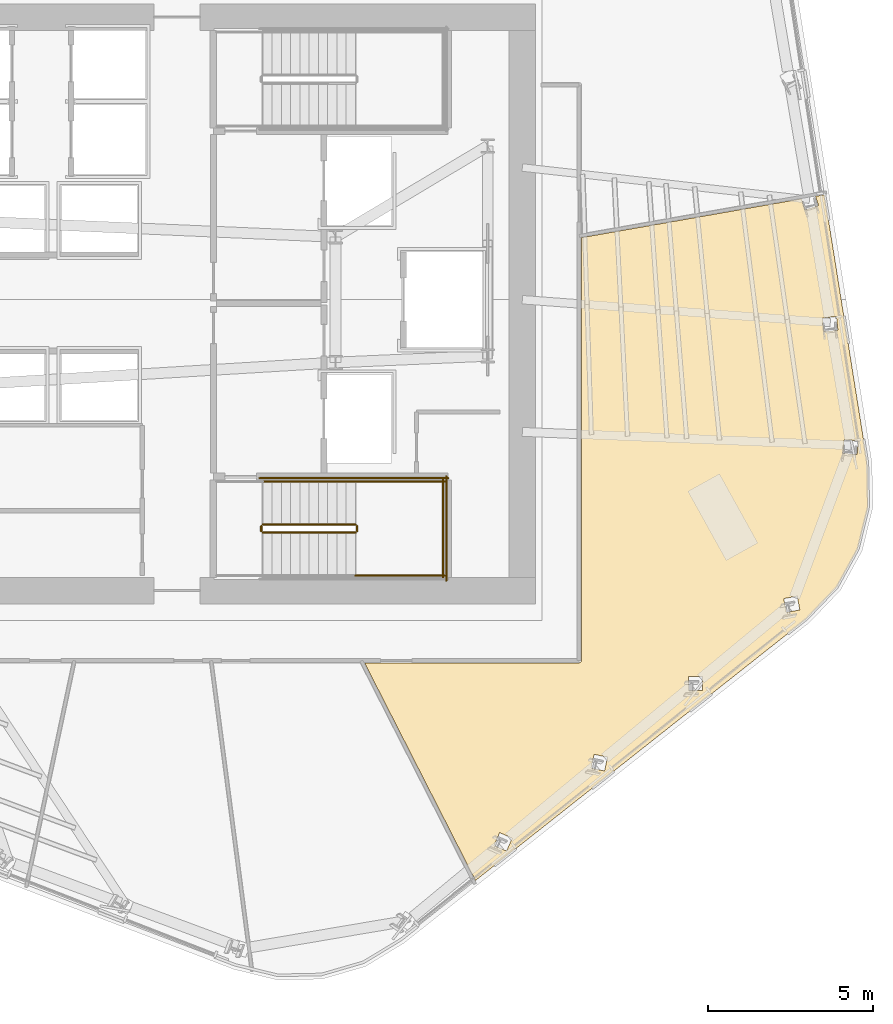
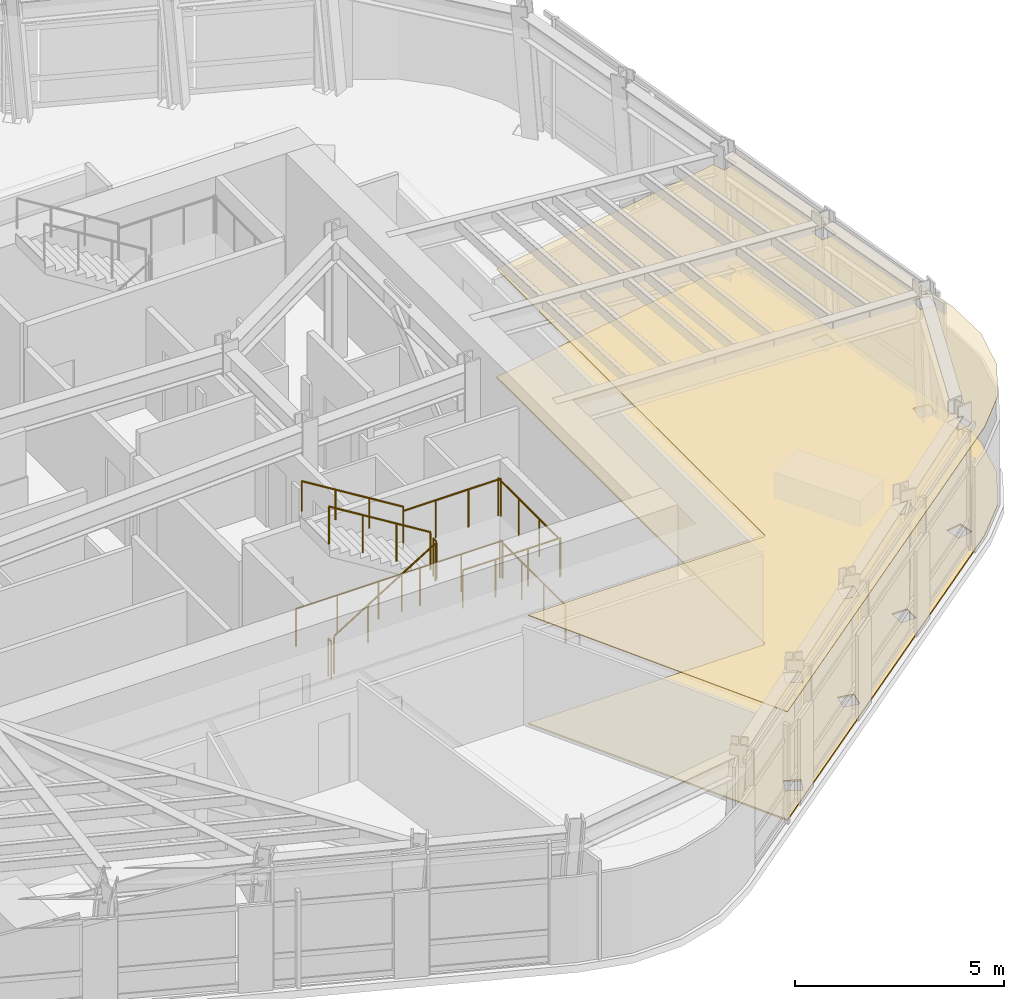
# One storey, part 11 of 15: 10 railings, 2 coverings.
"""IFC4 building model written with IfcOpenShell, lengths in metres."""

from ifc_helpers import new_model, si_unit, direction, frame, origin, origin_2d, place, context, subcontext, project, spatial, polyline, circle, outline, extrude, material, layer, layer_set, type_object, element, save


model = new_model("IFC4")

# Units and contexts
model_context = context("Model", 3, precision=1e-05, world=origin(), true_north=direction((0.0, 1.0)))
body_context = subcontext(model_context, "Body", "Model", "MODEL_VIEW")
ifc_project = project(units=[si_unit("LENGTHUNIT", "METRE"), si_unit("AREAUNIT", "SQUARE_METRE"), si_unit("VOLUMEUNIT", "CUBIC_METRE"), si_unit("PLANEANGLEUNIT", "RADIAN"), si_unit("MASSUNIT", "GRAM", prefix="KILO")], contexts=[model_context])

# Site, building, storey
site_placement = place(None, origin())
site = spatial("IfcSite", under=ifc_project, at=site_placement, CompositionType="ELEMENT")
building_placement = place(site_placement, origin())
building = spatial("IfcBuilding", under=site, at=building_placement, Name="Valkerne Bourse Tower", CompositionType="ELEMENT")
storey_placement = place(building_placement, frame((0.0, 0.0, 189.39990234375)))
storey = spatial("IfcBuildingStorey", under=building, at=storey_placement, Name="L48", CompositionType="ELEMENT", Elevation=189.39990234375)

# Coverings
ifc_material_1 = material(Name="Mineral Fiber Acoustic Ceiling Tile", Category="acoustic")
ifc_layer_1 = layer(ifc_material_1, 0.02490234375)
ifc_layer_set_1 = layer_set([ifc_layer_1], Name="Mineral Fiber Acoustic Ceiling Tile")
covering_type_1 = type_object("IfcCoveringType", Name="COV-CEIL-ACT", PredefinedType="CEILING", material=ifc_layer_set_1)
covering_1_placement = place(storey_placement, frame((0.0, 0.0, 3.170166015625)))
element("IfcCovering", 1, at=covering_1_placement, inside=storey, type_object=covering_type_1, Name="L48 Suspended Ceiling 07", PredefinedType="CEILING", context=body_context, shape_type="SweptSolid", body=[
    extrude(outline(polyline([(66.1484375, 19.456298828125), (65.5126953125, 18.300048828125), (64.593017578125, 17.341064453125), (54.581298828125, 9.425537109375), (51.225830078125, 16.010986328125), (57.720703125, 16.010986328125), (57.756103515625, 16.02099609375), (57.7822265625, 16.0498046875), (57.7890625, 16.07958984375), (57.7890625, 28.877685546875), (64.4501953125, 30.05224609375), (64.55810546875, 29.717529296875), (64.962158203125, 29.847412109375), (64.9619140625, 29.85009765625), (64.87255859375, 30.126708984375), (65.14111328125, 30.174072265625), (66.435302734375, 22.066162109375), (66.463134765625, 20.73779296875), (66.1484375, 19.456298828125)]), holes=[polyline([(55.5224609375, 10.31787109375), (55.693603515625, 10.70556640625), (55.315185546875, 10.873779296875), (55.31298828125, 10.87255859375), (55.141845703125, 10.484619140625), (55.52001953125, 10.31640625), (55.5224609375, 10.31787109375)]), polyline([(58.48828125, 12.7412109375), (58.576904296875, 13.15576171875), (58.17236328125, 13.243408203125), (58.17041015625, 13.24169921875), (58.081787109375, 12.8271484375), (58.486083984375, 12.739501953125), (58.48828125, 12.7412109375)]), polyline([(61.449951171875, 15.598876953125), (61.0361328125, 15.6025390625), (61.034423828125, 15.600341796875), (61.031982421875, 15.176513671875), (61.44580078125, 15.173095703125), (61.447509765625, 15.175048828125), (61.449951171875, 15.598876953125)]), polyline([(64.3955078125, 17.6142578125), (64.318115234375, 18.03076171875), (63.910888671875, 17.95654296875), (63.90966796875, 17.9541015625), (63.987060546875, 17.53759765625), (64.39404296875, 17.61181640625), (64.3955078125, 17.6142578125)]), polyline([(66.1640625, 22.730712890625), (65.740966796875, 22.765869140625), (65.740478515625, 22.762939453125), (65.70654296875, 22.351318359375), (66.129638671875, 22.316162109375), (66.13037109375, 22.319091796875), (66.1640625, 22.730712890625)]), polyline([(65.549072265625, 26.076416015625), (65.54931640625, 26.0791015625), (65.5048828125, 26.489990234375), (65.082763671875, 26.44482421875), (65.08251953125, 26.442138671875), (65.126953125, 26.031494140625), (65.549072265625, 26.076416015625)])]), origin(), (0.0, 0.0, 1.0), 0.02490234375),
])
ifc_material_2 = material(Name="Galvanised Painted Steel", Category="steel")
ifc_layer_2 = layer(ifc_material_2, 0.044921875)
ifc_layer_set_2 = layer_set([ifc_layer_2], Name="Galvanised Painted Steel")
covering_type_2 = type_object("IfcCoveringType", Name="COV-FLR-RAF", PredefinedType="FLOORING", material=ifc_layer_set_2)
covering_2_placement = place(storey_placement, origin())
element("IfcCovering", 2, at=covering_2_placement, inside=storey, type_object=covering_type_2, Name="L48 Floor Finish 07", PredefinedType="FLOORING", context=body_context, shape_type="SweptSolid", body=[
    extrude(outline(polyline([(66.1484375, 19.456298828125), (65.5126953125, 18.300048828125), (64.593017578125, 17.341064453125), (54.581298828125, 9.425537109375), (51.225830078125, 16.010986328125), (57.720703125, 16.010986328125), (57.756103515625, 16.02099609375), (57.7822265625, 16.0498046875), (57.7890625, 16.07958984375), (57.7890625, 28.877685546875), (64.4501953125, 30.05224609375), (64.55810546875, 29.717529296875), (64.962158203125, 29.847412109375), (64.9619140625, 29.85009765625), (64.87255859375, 30.126708984375), (65.14111328125, 30.174072265625), (66.435302734375, 22.066162109375), (66.463134765625, 20.73779296875), (66.1484375, 19.456298828125)]), holes=[polyline([(55.5224609375, 10.31787109375), (55.693603515625, 10.70556640625), (55.315185546875, 10.873779296875), (55.31298828125, 10.87255859375), (55.141845703125, 10.484619140625), (55.52001953125, 10.31640625), (55.5224609375, 10.31787109375)]), polyline([(58.48828125, 12.7412109375), (58.576904296875, 13.15576171875), (58.17236328125, 13.243408203125), (58.17041015625, 13.24169921875), (58.081787109375, 12.8271484375), (58.486083984375, 12.739501953125), (58.48828125, 12.7412109375)]), polyline([(61.449951171875, 15.598876953125), (61.0361328125, 15.6025390625), (61.034423828125, 15.600341796875), (61.031982421875, 15.176513671875), (61.44580078125, 15.173095703125), (61.447509765625, 15.175048828125), (61.449951171875, 15.598876953125)]), polyline([(64.3955078125, 17.6142578125), (64.318115234375, 18.03076171875), (63.910888671875, 17.95654296875), (63.90966796875, 17.9541015625), (63.987060546875, 17.53759765625), (64.39404296875, 17.61181640625), (64.3955078125, 17.6142578125)]), polyline([(66.1640625, 22.730712890625), (65.740966796875, 22.765869140625), (65.740478515625, 22.762939453125), (65.70654296875, 22.351318359375), (66.129638671875, 22.316162109375), (66.13037109375, 22.319091796875), (66.1640625, 22.730712890625)]), polyline([(65.549072265625, 26.076416015625), (65.54931640625, 26.0791015625), (65.5048828125, 26.489990234375), (65.082763671875, 26.44482421875), (65.08251953125, 26.442138671875), (65.126953125, 26.031494140625), (65.549072265625, 26.076416015625)])]), origin(), (0.0, 0.0, 1.0), 0.045166015625),
])

# Railings
railing_type_1 = type_object("IfcRailingType", Name="RLG-ST-GUARD-1120", PredefinedType="GUARDRAIL", material=ifc_material_2)
railing_1_placement = place(storey_placement, frame((48.14990234375, 19.949951171875, 0.1728515625)))
element("IfcRailing", 3, at=railing_1_placement, inside=storey, type_object=railing_type_1, Name="L48 ST-1 stair guard 1", PredefinedType="GUARDRAIL", context=body_context, shape_type="SweptSolid", body=[
    extrude(circle(Radius=0.02392578125, at=origin_2d()), frame((0.0, 0.0, 1.09619140625), z_axis=(0.851089632645, 0.0, 0.525020415988), x_axis=(0.0, 1.0, 0.0)), (0.0, 0.0, 1.0), 3.2900390625),
    extrude(circle(Radius=0.02099609375, at=origin_2d()), origin(), (0.0, 0.0, 1.0), 1.072021484375),
    extrude(circle(Radius=0.02099609375, at=origin_2d()), frame((0.933349609375, 0.0, 0.57568359375)), (0.0, 0.0, 1.0), 1.072021484375),
    extrude(circle(Radius=0.02099609375, at=origin_2d()), frame((1.86669921875, 0.0, 1.151611328125)), (0.0, 0.0, 1.0), 1.072021484375),
    extrude(circle(Radius=0.02099609375, at=origin_2d()), frame((2.800048828125, 0.0, 1.727294921875)), (0.0, 0.0, 1.0), 1.072021484375),
])
railing_2_placement = place(storey_placement, frame((51.0, 20.0, 1.900146484375)))
element("IfcRailing", 4, at=railing_2_placement, inside=storey, type_object=railing_type_1, Name="L48 ST-1 stair guard 2", PredefinedType="GUARDRAIL", context=body_context, shape_type="SweptSolid", body=[
    extrude(circle(Radius=0.02392578125, at=origin_2d()), frame((0.0, 0.0, 1.09619140625), z_axis=(0.0, 1.0, 0.0), x_axis=(-1.0, 0.0, 0.0)), (0.0, 0.0, 1.0), 0.14990234375),
    extrude(circle(Radius=0.02099609375, at=origin_2d()), origin(), (0.0, 0.0, 1.0), 1.072021484375),
    extrude(circle(Radius=0.02099609375, at=origin_2d()), frame((0.0, 0.14990234375, 0.0)), (0.0, 0.0, 1.0), 1.072021484375),
])
for number, where, name in (
    (5, (50.949951171875, 18.64990234375, 1.900146484375), "L48 ST-1 stair guard 3"),
    (6, (50.949951171875, 21.5, 1.900146484375), "L48 ST-1 stair guard 4"),
):
    element("IfcRailing", number, at=place(storey_placement, frame(where)), inside=storey, type_object=railing_type_1, Name=name, PredefinedType="GUARDRAIL", context=body_context, shape_type="SweptSolid", body=[
        extrude(circle(Radius=0.02392578125, at=origin_2d()), frame((0.0, 0.0, 1.09619140625), z_axis=(1.0, 0.0, 0.0), x_axis=(0.0, 1.0, 0.0)), (0.0, 0.0, 1.0), 2.699951171875),
        extrude(circle(Radius=0.02099609375, at=origin_2d()), origin(), (0.0, 0.0, 1.0), 1.072021484375),
        extrude(circle(Radius=0.02099609375, at=origin_2d()), frame((0.89990234375, 0.0, 0.0)), (0.0, 0.0, 1.0), 1.072021484375),
        extrude(circle(Radius=0.02099609375, at=origin_2d()), frame((1.800048828125, 0.0, 0.0)), (0.0, 0.0, 1.0), 1.072021484375),
        extrude(circle(Radius=0.02099609375, at=origin_2d()), frame((2.699951171875, 0.0, 0.0)), (0.0, 0.0, 1.0), 1.072021484375),
    ])
railing_3_placement = place(storey_placement, frame((53.60009765625, 18.60009765625, 1.900146484375)))
element("IfcRailing", 7, at=railing_3_placement, inside=storey, type_object=railing_type_1, Name="L48 ST-1 stair guard 5", PredefinedType="GUARDRAIL", context=body_context, shape_type="SweptSolid", body=[
    extrude(circle(Radius=0.02392578125, at=origin_2d()), frame((0.0, 0.0, 1.09619140625), z_axis=(0.0, 1.0, 0.0), x_axis=(-1.0, 0.0, 0.0)), (0.0, 0.0, 1.0), 2.949951171875),
    extrude(circle(Radius=0.02099609375, at=origin_2d()), origin(), (0.0, 0.0, 1.0), 1.072021484375),
    extrude(circle(Radius=0.02099609375, at=origin_2d()), frame((0.0, 0.9833984375, 0.0)), (0.0, 0.0, 1.0), 1.072021484375),
    extrude(circle(Radius=0.02099609375, at=origin_2d()), frame((0.0, 1.966552734375, 0.0)), (0.0, 0.0, 1.0), 1.072021484375),
    extrude(circle(Radius=0.02099609375, at=origin_2d()), frame((0.0, 2.949951171875, 0.0)), (0.0, 0.0, 1.0), 1.072021484375),
])
railing_4_placement = place(storey_placement, frame((50.949951171875, 20.199951171875, 2.07275390625)))
element("IfcRailing", 8, at=railing_4_placement, inside=storey, type_object=railing_type_1, Name="L48 ST-1 stair guard 6", PredefinedType="GUARDRAIL", context=body_context, shape_type="SweptSolid", body=[
    extrude(circle(Radius=0.02392578125, at=origin_2d()), frame((0.0, 0.0, 1.09619140625), z_axis=(-0.851089632645, 0.0, 0.525020415988), x_axis=(0.0, -1.0, 0.0)), (0.0, 0.0, 1.0), 3.2900390625),
    extrude(circle(Radius=0.02099609375, at=origin_2d()), origin(), (0.0, 0.0, 1.0), 1.072021484375),
    extrude(circle(Radius=0.02099609375, at=origin_2d()), frame((-0.933349609375, 0.0, 0.57568359375)), (0.0, 0.0, 1.0), 1.072021484375),
    extrude(circle(Radius=0.02099609375, at=origin_2d()), frame((-1.86669921875, 0.0, 1.151611328125)), (0.0, 0.0, 1.0), 1.072021484375),
    extrude(circle(Radius=0.02099609375, at=origin_2d()), frame((-2.800048828125, 0.0, 1.727294921875)), (0.0, 0.0, 1.0), 1.072021484375),
])
railing_5_placement = place(storey_placement, frame((48.10009765625, 20.0, 0.0)))
element("IfcRailing", 9, at=railing_5_placement, inside=storey, type_object=railing_type_1, Name="L48 ST-1 stair guard 7", PredefinedType="GUARDRAIL", context=body_context, shape_type="SweptSolid", body=[
    extrude(circle(Radius=0.02392578125, at=origin_2d()), frame((0.0, 0.0, 1.09619140625), z_axis=(0.0, 1.0, 0.0), x_axis=(-1.0, 0.0, 0.0)), (0.0, 0.0, 1.0), 0.14990234375),
    extrude(circle(Radius=0.02099609375, at=origin_2d()), origin(), (0.0, 0.0, 1.0), 1.072021484375),
    extrude(circle(Radius=0.02099609375, at=origin_2d()), frame((0.0, 0.14990234375, 0.0)), (0.0, 0.0, 1.0), 1.072021484375),
])
railing_6_placement = place(storey_placement, frame((48.050048828125, 21.60009765625, 0.0)))
element("IfcRailing", 10, at=railing_6_placement, inside=storey, type_object=railing_type_1, Name="L48 ST-1 stair guard 11", PredefinedType="GUARDRAIL", context=body_context, shape_type="SweptSolid", body=[
    extrude(circle(Radius=0.02392578125, at=origin_2d()), frame((0.0, 0.0, 1.09619140625), z_axis=(1.0, 0.0, 0.0), x_axis=(0.0, 1.0, 0.0)), (0.0, 0.0, 1.0), 5.699951171875),
    extrude(circle(Radius=0.02099609375, at=origin_2d()), origin(), (0.0, 0.0, 1.0), 1.072021484375),
    extrude(circle(Radius=0.02099609375, at=origin_2d()), frame((1.139892578125, 0.0, 0.0)), (0.0, 0.0, 1.0), 1.072021484375),
    extrude(circle(Radius=0.02099609375, at=origin_2d()), frame((2.280029296875, 0.0, 0.0)), (0.0, 0.0, 1.0), 1.072021484375),
    extrude(circle(Radius=0.02099609375, at=origin_2d()), frame((3.419921875, 0.0, 0.0)), (0.0, 0.0, 1.0), 1.072021484375),
    extrude(circle(Radius=0.02099609375, at=origin_2d()), frame((4.56005859375, 0.0, 0.0)), (0.0, 0.0, 1.0), 1.072021484375),
    extrude(circle(Radius=0.02099609375, at=origin_2d()), frame((5.699951171875, 0.0, 0.0)), (0.0, 0.0, 1.0), 1.072021484375),
])
railing_7_placement = place(storey_placement, frame((53.699951171875, 18.5, 0.0)))
element("IfcRailing", 11, at=railing_7_placement, inside=storey, type_object=railing_type_1, Name="L48 ST-1 stair guard 12", PredefinedType="GUARDRAIL", context=body_context, shape_type="SweptSolid", body=[
    extrude(circle(Radius=0.02392578125, at=origin_2d()), frame((0.0, 0.0, 1.09619140625), z_axis=(0.0, 1.0, 0.0), x_axis=(-1.0, 0.0, 0.0)), (0.0, 0.0, 1.0), 3.14990234375),
    extrude(circle(Radius=0.02099609375, at=origin_2d()), origin(), (0.0, 0.0, 1.0), 1.072021484375),
    extrude(circle(Radius=0.02099609375, at=origin_2d()), frame((0.0, 1.050048828125, 0.0)), (0.0, 0.0, 1.0), 1.072021484375),
    extrude(circle(Radius=0.02099609375, at=origin_2d()), frame((0.0, 2.099853515625, 0.0)), (0.0, 0.0, 1.0), 1.072021484375),
    extrude(circle(Radius=0.02099609375, at=origin_2d()), frame((0.0, 3.14990234375, 0.0)), (0.0, 0.0, 1.0), 1.072021484375),
])
ifc_material_3 = material(Name="Stainless Steel AISI 316", Category="steel")
railing_type_2 = type_object("IfcRailingType", Name="RLG-ST-HANDRAIL-900", PredefinedType="HANDRAIL", material=ifc_material_3)
railing_8_placement = place(storey_placement, frame((50.949951171875, 21.5, 2.24560546875)))
element("IfcRailing", 12, at=railing_8_placement, inside=storey, type_object=railing_type_2, Name="L48 ST-1 stair handrail 2", PredefinedType="HANDRAIL", context=body_context, shape_type="SweptSolid", body=[
    extrude(circle(Radius=0.02392578125, at=origin_2d()), frame((0.0, 0.0, 0.8759765625), z_axis=(-0.851089632645, 0.0, 0.525020415988), x_axis=(0.0, -1.0, 0.0)), (0.0, 0.0, 1.0), 3.2900390625),
    extrude(circle(Radius=0.02099609375, at=origin_2d()), origin(), (0.0, 0.0, 1.0), 0.851806640625),
    extrude(circle(Radius=0.02099609375, at=origin_2d()), frame((-0.933349609375, 0.0, 0.57568359375)), (0.0, 0.0, 1.0), 0.851806640625),
    extrude(circle(Radius=0.02099609375, at=origin_2d()), frame((-1.86669921875, 0.0, 1.151611328125)), (0.0, 0.0, 1.0), 0.851806640625),
    extrude(circle(Radius=0.02099609375, at=origin_2d()), frame((-2.800048828125, 0.0, 1.727294921875)), (0.0, 0.0, 1.0), 0.851806640625),
])

save(model, "model.ifc")
